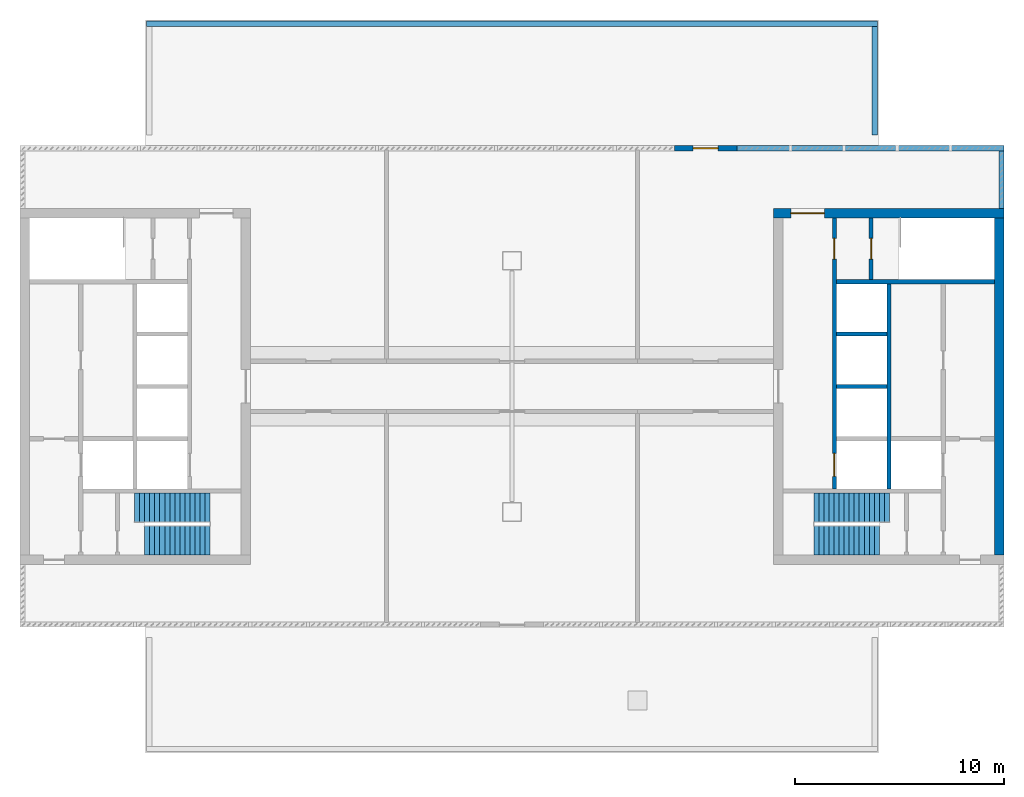
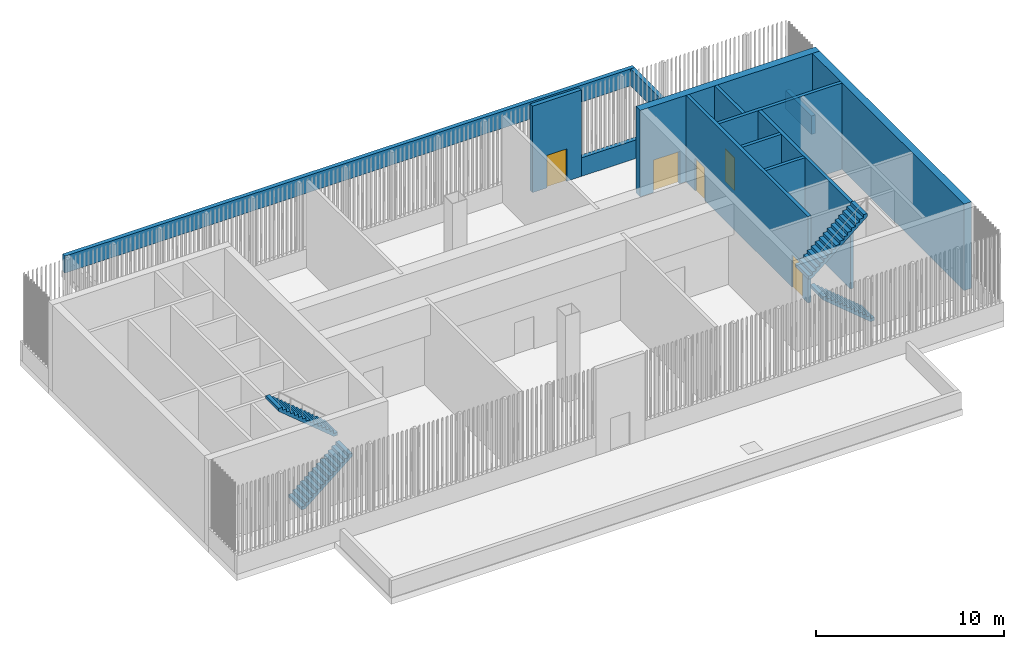
# One storey, part 3 of 9: 13 walls, 5 doors, 4 stair flights, 5 openings, 2 elements without a shape of their own.
"""IFC4 building model written with IfcOpenShell, lengths in metres."""

from ifc_helpers import new_model, si_unit, direction, frame, frame_2d, origin, place, context, subcontext, project, spatial, polyline, rectangle, outline, extrude, material, layer, layer_set, type_object, element, fill, aggregate, save


model = new_model("IFC4")

# Units and contexts
model_context = context("Model", 3, precision=1e-05, world=origin(), true_north=direction((0.0, 1.0)))
body_context = subcontext(model_context, "Body", "Model", "MODEL_VIEW")
ifc_project = project(units=[si_unit("LENGTHUNIT", "METRE"), si_unit("AREAUNIT", "SQUARE_METRE"), si_unit("VOLUMEUNIT", "CUBIC_METRE"), si_unit("PLANEANGLEUNIT", "RADIAN"), si_unit("MASSUNIT", "GRAM", prefix="KILO")], contexts=[model_context])

# Site, building, storey
site_placement = place(None, origin())
site = spatial("IfcSite", under=ifc_project, at=site_placement, CompositionType="ELEMENT")
building_placement = place(site_placement, origin())
building = spatial("IfcBuilding", under=site, at=building_placement, Name="Kitamizu Gate Tower and Museum", CompositionType="ELEMENT")
storey_placement = place(building_placement, frame((0.0, 0.0, 283.35009765625)))
storey = spatial("IfcBuildingStorey", under=building, at=storey_placement, Name="L76", CompositionType="ELEMENT", Elevation=283.35009765625)

# Wall, opening, door
ifc_material_1 = material(Name="Concrete Fc42", Category="concrete")
ifc_layer_1 = layer(ifc_material_1, 0.449951171875)
ifc_layer_set_1 = layer_set([ifc_layer_1], Name="Concrete Fc42")
wall_type_1 = type_object("IfcWallType", Name="Core wall 450 EI 60", PredefinedType="SHEAR", material=ifc_layer_set_1)
wall_1_placement = place(storey_placement, frame((59.5, 38.27490234375, 0.0), z_axis=(0.0, 0.0, 1.0), x_axis=(-1.0, 0.0, 0.0)))
wall_1 = element("IfcWall", 1, at=wall_1_placement, inside=storey, type_object=wall_type_1, Name="Core wall EN", PredefinedType="SHEAR", context=body_context, shape_type="SweptSolid", body=[
    extrude(rectangle(XDim=11.0, YDim=0.449951171875, at=frame_2d((5.5, 0.0))), origin(), (0.0, 0.0, 1.0), 5.599853515625),
])
opening_1_placement = place(wall_1_placement, frame((8.574951171875, 0.0, 0.0)))
opening_1 = element("IfcOpeningElement", 2, at=opening_1_placement, cuts=wall_1, Name="Opening L76-022", PredefinedType="OPENING", context=body_context, shape_type="SweptSolid", body=[
    extrude(rectangle(XDim=1.60009765625, YDim=2.10009765625, at=frame_2d((0.800048828125, 1.050048828125))), frame((0.0, 0.23486328125, 0.0), z_axis=(0.0, -1.0, 0.0), x_axis=(1.0, 0.0, 0.0)), (0.0, 0.0, 1.0), 0.469970703125),
])
ifc_material_2 = material(Name="Timber door set", Category="wood")
door_type_1 = type_object("IfcDoorType", Name="Entrance door 1600", OperationType="DOUBLE_DOOR_SINGLE_SWING", PredefinedType="DOOR", material=ifc_material_2)
door_1_placement = place(opening_1_placement, frame((1.60009765625, 0.0, 0.0), x_axis=(-1.0, 0.0, 0.0)))
door_1 = element("IfcDoor", 3, at=door_1_placement, inside=storey, type_object=door_type_1, Name="Lobby door L76-022", OperationType="DOUBLE_DOOR_SINGLE_SWING", OverallHeight=2.10009765625, OverallWidth=1.60009765625, PredefinedType="DOOR", context=body_context, shape_type="SweptSolid", body=[
    extrude(rectangle(XDim=1.60009765625, YDim=2.10009765625, at=frame_2d((0.800048828125, 1.050048828125))), frame((0.0, 0.02490234375, 0.0), z_axis=(0.0, -1.0, 0.0), x_axis=(1.0, 0.0, 0.0)), (0.0, 0.0, 1.0), 0.050048828125),
])
fill(opening_1, door_1)

# Walls
wall_2_placement = place(storey_placement, frame((59.27490234375, 21.949951171875, 0.0), z_axis=(0.0, 0.0, 1.0), x_axis=(0.0, 1.0, 0.0)))
element("IfcWall", 4, at=wall_2_placement, inside=storey, type_object=wall_type_1, Name="Core wall EOUT", PredefinedType="SHEAR", context=body_context, shape_type="SweptSolid", body=[
    extrude(rectangle(XDim=16.10009765625, YDim=0.449951171875, at=frame_2d((8.050048828125, 0.0))), origin(), (0.0, 0.0, 1.0), 5.599853515625),
])
ifc_material_3 = material(Name="Concrete Fc42", Category="concrete")
ifc_layer_2 = layer(ifc_material_3, 0.25)
ifc_layer_set_2 = layer_set([ifc_layer_2], Name="Concrete Fc42")
wall_type_2 = type_object("IfcWallType", Name="DRUM BASE WALL 250", PredefinedType="SOLIDWALL", material=ifc_layer_set_2)
wall_3_placement = place(storey_placement, frame((46.75, 41.375, 0.0), z_axis=(0.0, 0.0, 1.0), x_axis=(1.0, 0.0, 0.0)))
element("IfcWall", 5, at=wall_3_placement, inside=storey, type_object=wall_type_2, Name="Drum base wall NB", PredefinedType="SOLIDWALL", context=body_context, shape_type="SweptSolid", body=[
    extrude(rectangle(XDim=12.75, YDim=0.25, at=frame_2d((6.375, 0.0))), origin(), (0.0, 0.0, 1.0), 1.199951171875),
])
wall_4_placement = place(storey_placement, frame((59.375, 38.5, 0.0), z_axis=(0.0, 0.0, 1.0), x_axis=(0.0, 1.0, 0.0)))
element("IfcWall", 6, at=wall_4_placement, inside=storey, type_object=wall_type_2, Name="Drum base wall EN", PredefinedType="SOLIDWALL", context=body_context, shape_type="SweptSolid", body=[
    extrude(rectangle(XDim=2.75, YDim=0.25, at=frame_2d((1.375, 0.0))), origin(), (0.0, 0.0, 1.0), 1.199951171875),
])

# Wall, opening, door
wall_5_placement = place(storey_placement, frame((43.75, 41.375, 0.0), z_axis=(0.0, 0.0, 1.0), x_axis=(1.0, 0.0, 0.0)))
wall_5 = element("IfcWall", 7, at=wall_5_placement, inside=storey, type_object=wall_type_2, Name="Drum wall N maintenance door bay", PredefinedType="SOLIDWALL", context=body_context, shape_type="SweptSolid", body=[
    extrude(rectangle(XDim=3.0, YDim=0.25, at=frame_2d((1.5, 0.0))), origin(), (0.0, 0.0, 1.0), 5.599853515625),
])
opening_2_placement = place(wall_5_placement, frame((0.89990234375, 0.0, 0.0)))
opening_2 = element("IfcOpeningElement", 8, at=opening_2_placement, cuts=wall_5, Name="Opening L76-026", PredefinedType="OPENING", context=body_context, shape_type="SweptSolid", body=[
    extrude(rectangle(XDim=1.199951171875, YDim=2.10009765625, at=frame_2d((0.60009765625, 1.050048828125))), frame((0.0, 0.135009765625, 0.0), z_axis=(0.0, -1.0, 0.0), x_axis=(1.0, 0.0, 0.0)), (0.0, 0.0, 1.0), 0.27001953125),
])
ifc_material_4 = material(Name="Insulated galvanised steel door set, bronze polyester powder coat", Category="steel")
door_type_2 = type_object("IfcDoorType", Name="MAINTENANCE DOOR 1200 x 2100 UNRATED", OperationType="NOTDEFINED", PredefinedType="DOOR", material=ifc_material_4)
door_2_placement = place(opening_2_placement, origin())
door_2 = element("IfcDoor", 9, at=door_2_placement, inside=storey, type_object=door_type_2, Name="Maintenance door L76-026", OperationType="SINGLE_SWING_RIGHT", OverallHeight=2.10009765625, OverallWidth=1.199951171875, PredefinedType="DOOR", context=body_context, shape_type="SweptSolid", body=[
    extrude(rectangle(XDim=1.199951171875, YDim=2.10009765625, at=frame_2d((0.60009765625, 1.050048828125))), frame((0.0, 0.02490234375, 0.0), z_axis=(0.0, -1.0, 0.0), x_axis=(1.0, 0.0, 0.0)), (0.0, 0.0, 1.0), 0.050048828125),
])
fill(opening_2, door_2)

# Walls
ifc_material_5 = material(Name="Concrete Fc42", Category="concrete")
ifc_layer_3 = layer(ifc_material_5, 0.25)
ifc_layer_set_3 = layer_set([ifc_layer_3], Name="Concrete Fc42")
wall_type_3 = type_object("IfcWallType", Name="PARAPET WALL 250", PredefinedType="PARAPET", material=ifc_layer_set_3)
wall_6_placement = place(storey_placement, frame((18.550048828125, 47.324951171875, 0.0), z_axis=(0.0, 0.0, 1.0), x_axis=(1.0, 0.0, 0.0)))
element("IfcWall", 10, at=wall_6_placement, inside=storey, type_object=wall_type_3, Name="Roof parapet 5", PredefinedType="PARAPET", context=body_context, shape_type="SweptSolid", body=[
    extrude(rectangle(XDim=34.89990234375, YDim=0.25, at=frame_2d((17.449951171875, 0.0))), origin(), (0.0, 0.0, 1.0), 1.099853515625),
])
wall_7_placement = place(storey_placement, frame((53.324951171875, 47.199951171875, 0.0), z_axis=(0.0, 0.0, 1.0), x_axis=(0.0, -1.0, 0.0)))
element("IfcWall", 11, at=wall_7_placement, inside=storey, type_object=wall_type_3, Name="Roof parapet 6", PredefinedType="PARAPET", context=body_context, shape_type="SweptSolid", body=[
    extrude(rectangle(XDim=5.199951171875, YDim=0.25, at=frame_2d((2.60009765625, 0.0))), origin(), (0.0, 0.0, 1.0), 1.099853515625),
])

# Wall, openings, doors
ifc_material_6 = material(Name="Concrete Fc42", Category="concrete")
ifc_layer_4 = layer(ifc_material_6, 0.199951171875)
ifc_layer_set_4 = layer_set([ifc_layer_4], Name="Concrete Fc42")
wall_type_4 = type_object("IfcWallType", Name="Shaft wall 200", PredefinedType="SOLIDWALL", material=ifc_layer_set_4)
wall_8_placement = place(storey_placement, frame((51.39990234375, 25.10009765625, 0.0), z_axis=(0.0, 0.0, 1.0), x_axis=(0.0, 1.0, 0.0)))
wall_8 = element("IfcWall", 12, at=wall_8_placement, inside=storey, type_object=wall_type_4, Name="Shaft wall EEAST", PredefinedType="SOLIDWALL", context=body_context, shape_type="SweptSolid", body=[
    extrude(rectangle(XDim=12.949951171875, YDim=0.199951171875, at=frame_2d((6.47509765625, 0.0))), origin(), (0.0, 0.0, 1.0), 5.599853515625),
])
opening_3_placement = place(wall_8_placement, frame((0.60009765625, 0.0, 0.0)))
opening_3 = element("IfcOpeningElement", 13, at=opening_3_placement, cuts=wall_8, Name="Opening LD", PredefinedType="OPENING", context=body_context, shape_type="SweptSolid", body=[
    extrude(rectangle(XDim=1.10009765625, YDim=2.10009765625, at=frame_2d((0.550048828125, 1.050048828125))), frame((0.0, 0.10986328125, 0.0), z_axis=(0.0, -1.0, 0.0), x_axis=(1.0, 0.0, 0.0)), (0.0, 0.0, 1.0), 0.219970703125),
])
opening_4_placement = place(wall_8_placement, frame((10.97509765625, 0.0, 0.0)))
opening_4 = element("IfcOpeningElement", 14, at=opening_4_placement, cuts=wall_8, Name="Opening L76-018", PredefinedType="OPENING", context=body_context, shape_type="SweptSolid", body=[
    extrude(rectangle(XDim=1.0, YDim=2.10009765625, at=frame_2d((0.5, 1.050048828125))), frame((0.0, 0.10986328125, 0.0), z_axis=(0.0, -1.0, 0.0), x_axis=(1.0, 0.0, 0.0)), (0.0, 0.0, 1.0), 0.219970703125),
])
ifc_material_7 = material(Name="Hollow metal door set")
door_type_3 = type_object("IfcDoorType", Name="Fire door 1000", OperationType="NOTDEFINED", PredefinedType="DOOR", material=ifc_material_7)
door_3_placement = place(opening_4_placement, frame((1.0, 0.0, 0.0), x_axis=(-1.0, 0.0, 0.0)))
door_3 = element("IfcDoor", 15, at=door_3_placement, inside=storey, type_object=door_type_3, Name="Stair lobby door L76-018", OperationType="SINGLE_SWING_LEFT", OverallHeight=2.10009765625, OverallWidth=1.0, PredefinedType="DOOR", context=body_context, shape_type="SweptSolid", body=[
    extrude(rectangle(XDim=1.0, YDim=2.10009765625, at=frame_2d((0.5, 1.050048828125))), frame((0.0, 0.02490234375, 0.0), z_axis=(0.0, -1.0, 0.0), x_axis=(1.0, 0.0, 0.0)), (0.0, 0.0, 1.0), 0.050048828125),
])
fill(opening_4, door_3)
ifc_material_8 = material(Name="Hollow metal door set")
door_type_4 = type_object("IfcDoorType", Name="Landing door 1100", OperationType="SLIDING_TO_LEFT", PredefinedType="DOOR", material=ifc_material_8)
door_4_placement = place(opening_3_placement, origin())
door_4 = element("IfcDoor", 16, at=door_4_placement, inside=storey, type_object=door_type_4, Name="Landing door ESV1", OperationType="SLIDING_TO_LEFT", OverallHeight=2.10009765625, OverallWidth=1.10009765625, PredefinedType="DOOR", context=body_context, shape_type="SweptSolid", body=[
    extrude(rectangle(XDim=1.10009765625, YDim=2.10009765625, at=frame_2d((0.550048828125, 1.050048828125))), frame((0.0, 0.02490234375, 0.0), z_axis=(0.0, -1.0, 0.0), x_axis=(1.0, 0.0, 0.0)), (0.0, 0.0, 1.0), 0.050048828125),
])
fill(opening_3, door_4)

# Walls
wall_9_placement = place(storey_placement, frame((54.0, 25.10009765625, 0.0), z_axis=(0.0, 0.0, 1.0), x_axis=(0.0, 1.0, 0.0)))
element("IfcWall", 17, at=wall_9_placement, inside=storey, type_object=wall_type_4, Name="Shaft wall EMID", PredefinedType="SOLIDWALL", context=body_context, shape_type="SweptSolid", body=[
    extrude(rectangle(XDim=9.7998046875, YDim=0.199951171875, at=frame_2d((4.89990234375, 0.0))), origin(), (0.0, 0.0, 1.0), 5.599853515625),
])
wall_10_placement = place(storey_placement, frame((59.050048828125, 35.0, 0.0), z_axis=(0.0, 0.0, 1.0), x_axis=(-1.0, 0.0, 0.0)))
element("IfcWall", 18, at=wall_10_placement, inside=storey, type_object=wall_type_4, Name="Shaft wall ENB", PredefinedType="SOLIDWALL", context=body_context, shape_type="SweptSolid", body=[
    extrude(rectangle(XDim=7.550048828125, YDim=0.199951171875, at=frame_2d((3.77490234375, 0.0))), origin(), (0.0, 0.0, 1.0), 5.599853515625),
])

# Wall, opening, door
wall_11_placement = place(storey_placement, frame((53.14990234375, 35.10009765625, 0.0), z_axis=(0.0, 0.0, 1.0), x_axis=(0.0, 1.0, 0.0)))
wall_11 = element("IfcWall", 19, at=wall_11_placement, inside=storey, type_object=wall_type_4, Name="Shaft wall ENZ", PredefinedType="SOLIDWALL", context=body_context, shape_type="SweptSolid", body=[
    extrude(rectangle(XDim=2.949951171875, YDim=0.199951171875, at=frame_2d((1.47509765625, 0.0))), origin(), (0.0, 0.0, 1.0), 5.599853515625),
])
opening_5_placement = place(wall_11_placement, frame((0.97509765625, 0.0, 0.0)))
opening_5 = element("IfcOpeningElement", 20, at=opening_5_placement, cuts=wall_11, Name="Opening L76-019", PredefinedType="OPENING", context=body_context, shape_type="SweptSolid", body=[
    extrude(rectangle(XDim=1.0, YDim=2.10009765625, at=frame_2d((0.5, 1.050048828125))), frame((0.0, 0.10986328125, 0.0), z_axis=(0.0, -1.0, 0.0), x_axis=(1.0, 0.0, 0.0)), (0.0, 0.0, 1.0), 0.219970703125),
])
door_5_placement = place(opening_5_placement, frame((1.0, 0.0, 0.0), x_axis=(-1.0, 0.0, 0.0)))
door_5 = element("IfcDoor", 21, at=door_5_placement, inside=storey, type_object=door_type_3, Name="Stair door L76-019", OperationType="SINGLE_SWING_RIGHT", OverallHeight=2.10009765625, OverallWidth=1.0, PredefinedType="DOOR", context=body_context, shape_type="SweptSolid", body=[
    extrude(rectangle(XDim=1.0, YDim=2.10009765625, at=frame_2d((0.5, 1.050048828125))), frame((0.0, 0.02490234375, 0.0), z_axis=(0.0, -1.0, 0.0), x_axis=(1.0, 0.0, 0.0)), (0.0, 0.0, 1.0), 0.050048828125),
])
fill(opening_5, door_5)

# Walls
for number, where, z_axis, x_axis, name in (
    (22, (53.89990234375, 30.0, 0.0), (0.0, 0.0, 1.0), (-1.0, 0.0, 0.0), "Shaft wall EDVE1"),
    (23, (53.89990234375, 32.5, 0.0), (0.0, 0.0, 1.0), (-1.0, 0.0, 0.0), "Shaft wall EDVE2"),
):
    element("IfcWall", number, at=place(storey_placement, frame(where, z_axis=z_axis, x_axis=x_axis)), inside=storey, type_object=wall_type_4, Name=name, PredefinedType="SOLIDWALL", context=body_context, shape_type="SweptSolid", body=[
        extrude(rectangle(XDim=2.39990234375, YDim=0.199951171875, at=frame_2d((1.199951171875, 0.0))), origin(), (0.0, 0.0, 1.0), 5.599853515625),
    ])

# Stair, stair flights
ifc_material_9 = material(Name="Concrete Fc42", Category="concrete")
stair_type = type_object("IfcStairType", Name="Exit stair 1375 wide 200 rise 241 going", PredefinedType="HALF_TURN_STAIR", material=ifc_material_9)
stair_1_placement = place(storey_placement, origin())
stair_1 = element("IfcStair", 24, at=stair_1_placement, inside=storey, type_object=stair_type, Name="Exit stair ST1", PredefinedType="HALF_TURN_STAIR")
ifc_material_10 = material(Name="Concrete Fc42", Category="concrete")
stair_flight_type = type_object("IfcStairFlightType", Name="Stair flight 1375 wide 200 rise 241 going", PredefinedType="STRAIGHT", material=ifc_material_10)
stair_flight_1_placement = place(storey_placement, frame((18.449951171875, 22.637451171875, 0.0), z_axis=(0.0, 0.0, 1.0), x_axis=(1.0, 0.0, 0.0)))
stair_flight_1 = element("IfcStairFlight", 25, at=stair_flight_1_placement, type_object=stair_flight_type, Name="ST1 flight 1", NumberOfRisers=14, NumberOfTreads=13, PredefinedType="STRAIGHT", RiserHeight=0.2, TreadLength=0.241, context=body_context, shape_type="SweptSolid", body=[
    extrude(outline(polyline([(0.0, 0.0), (0.0, 0.199951171875), (0.240966796875, 0.199951171875), (0.240966796875, 0.39990234375), (0.48193359375, 0.39990234375), (0.48193359375, 0.60009765625), (0.722900390625, 0.60009765625), (0.722900390625, 0.800048828125), (0.964111328125, 0.800048828125), (0.964111328125, 1.0), (1.205078125, 1.0), (1.205078125, 1.199951171875), (1.446044921875, 1.199951171875), (1.446044921875, 1.39990234375), (1.68701171875, 1.39990234375), (1.68701171875, 1.60009765625), (1.927978515625, 1.60009765625), (1.927978515625, 1.800048828125), (2.1689453125, 1.800048828125), (2.1689453125, 2.0), (2.409912109375, 2.0), (2.409912109375, 2.199951171875), (2.65087890625, 2.199951171875), (2.65087890625, 2.39990234375), (2.89208984375, 2.39990234375), (2.89208984375, 2.60009765625), (3.133056640625, 2.60009765625), (3.133056640625, 2.800048828125), (3.133056640625, 2.4052734375), (0.234619140625, 0.0), (0.0, 0.0)])), frame((0.0, 0.6875, 0.0), z_axis=(0.0, -1.0, 0.0), x_axis=(1.0, 0.0, 0.0)), (0.0, 0.0, 1.0), 1.375),
])
stair_flight_2_placement = place(storey_placement, frame((21.5830078125, 24.21240234375, 2.7998046875), z_axis=(0.0, 0.0, 1.0), x_axis=(-1.0, 0.0, 0.0)))
stair_flight_2 = element("IfcStairFlight", 26, at=stair_flight_2_placement, type_object=stair_flight_type, Name="ST1 flight 2", NumberOfRisers=16, NumberOfTreads=15, PredefinedType="STRAIGHT", RiserHeight=0.2, TreadLength=0.241, context=body_context, shape_type="SweptSolid", body=[
    extrude(outline(polyline([(0.0, 0.0), (0.0, 0.199951171875), (0.240966796875, 0.199951171875), (0.240966796875, 0.39990234375), (0.48193359375, 0.39990234375), (0.48193359375, 0.60009765625), (0.722900390625, 0.60009765625), (0.722900390625, 0.800048828125), (0.964111328125, 0.800048828125), (0.964111328125, 1.0), (1.205078125, 1.0), (1.205078125, 1.199951171875), (1.446044921875, 1.199951171875), (1.446044921875, 1.39990234375), (1.68701171875, 1.39990234375), (1.68701171875, 1.60009765625), (1.927978515625, 1.60009765625), (1.927978515625, 1.800048828125), (2.1689453125, 1.800048828125), (2.1689453125, 2.0), (2.409912109375, 2.0), (2.409912109375, 2.199951171875), (2.65087890625, 2.199951171875), (2.65087890625, 2.39990234375), (2.89208984375, 2.39990234375), (2.89208984375, 2.60009765625), (3.133056640625, 2.60009765625), (3.133056640625, 2.800048828125), (3.3740234375, 2.800048828125), (3.3740234375, 3.0), (3.614990234375, 3.0), (3.614990234375, 3.199951171875), (3.614990234375, 2.80517578125), (0.234619140625, 0.0), (0.0, 0.0)])), frame((0.0, 0.6875, 0.0), z_axis=(0.0, -1.0, 0.0), x_axis=(1.0, 0.0, 0.0)), (0.0, 0.0, 1.0), 1.375),
])
aggregate(stair_1, [stair_flight_1, stair_flight_2])

stair_2_placement = place(storey_placement, origin())
stair_2 = element("IfcStair", 27, at=stair_2_placement, inside=storey, type_object=stair_type, Name="Exit stair ST3", PredefinedType="HALF_TURN_STAIR")
stair_flight_3_placement = place(storey_placement, frame((53.550048828125, 22.637451171875, 0.0), z_axis=(0.0, 0.0, 1.0), x_axis=(-1.0, 0.0, 0.0)))
stair_flight_3 = element("IfcStairFlight", 28, at=stair_flight_3_placement, type_object=stair_flight_type, Name="ST3 flight 1", NumberOfRisers=14, NumberOfTreads=13, PredefinedType="STRAIGHT", RiserHeight=0.2, TreadLength=0.241, context=body_context, shape_type="SweptSolid", body=[
    extrude(outline(polyline([(0.0, 0.0), (0.0, 0.199951171875), (0.240966796875, 0.199951171875), (0.240966796875, 0.39990234375), (0.48193359375, 0.39990234375), (0.48193359375, 0.60009765625), (0.722900390625, 0.60009765625), (0.722900390625, 0.800048828125), (0.964111328125, 0.800048828125), (0.964111328125, 1.0), (1.205078125, 1.0), (1.205078125, 1.199951171875), (1.446044921875, 1.199951171875), (1.446044921875, 1.39990234375), (1.68701171875, 1.39990234375), (1.68701171875, 1.60009765625), (1.927978515625, 1.60009765625), (1.927978515625, 1.800048828125), (2.1689453125, 1.800048828125), (2.1689453125, 2.0), (2.409912109375, 2.0), (2.409912109375, 2.199951171875), (2.65087890625, 2.199951171875), (2.65087890625, 2.39990234375), (2.89208984375, 2.39990234375), (2.89208984375, 2.60009765625), (3.133056640625, 2.60009765625), (3.133056640625, 2.800048828125), (3.133056640625, 2.4052734375), (0.234619140625, 0.0), (0.0, 0.0)])), frame((0.0, 0.6875, 0.0), z_axis=(0.0, -1.0, 0.0), x_axis=(1.0, 0.0, 0.0)), (0.0, 0.0, 1.0), 1.375),
])
stair_flight_4_placement = place(storey_placement, frame((50.4169921875, 24.21240234375, 2.7998046875), z_axis=(0.0, 0.0, 1.0), x_axis=(1.0, 0.0, 0.0)))
stair_flight_4 = element("IfcStairFlight", 29, at=stair_flight_4_placement, type_object=stair_flight_type, Name="ST3 flight 2", NumberOfRisers=16, NumberOfTreads=15, PredefinedType="STRAIGHT", RiserHeight=0.2, TreadLength=0.241, context=body_context, shape_type="SweptSolid", body=[
    extrude(outline(polyline([(0.0, 0.0), (0.0, 0.199951171875), (0.240966796875, 0.199951171875), (0.240966796875, 0.39990234375), (0.48193359375, 0.39990234375), (0.48193359375, 0.60009765625), (0.722900390625, 0.60009765625), (0.722900390625, 0.800048828125), (0.964111328125, 0.800048828125), (0.964111328125, 1.0), (1.205078125, 1.0), (1.205078125, 1.199951171875), (1.446044921875, 1.199951171875), (1.446044921875, 1.39990234375), (1.68701171875, 1.39990234375), (1.68701171875, 1.60009765625), (1.927978515625, 1.60009765625), (1.927978515625, 1.800048828125), (2.1689453125, 1.800048828125), (2.1689453125, 2.0), (2.409912109375, 2.0), (2.409912109375, 2.199951171875), (2.65087890625, 2.199951171875), (2.65087890625, 2.39990234375), (2.89208984375, 2.39990234375), (2.89208984375, 2.60009765625), (3.133056640625, 2.60009765625), (3.133056640625, 2.800048828125), (3.3740234375, 2.800048828125), (3.3740234375, 3.0), (3.614990234375, 3.0), (3.614990234375, 3.199951171875), (3.614990234375, 2.80517578125), (0.234619140625, 0.0), (0.0, 0.0)])), frame((0.0, 0.6875, 0.0), z_axis=(0.0, -1.0, 0.0), x_axis=(1.0, 0.0, 0.0)), (0.0, 0.0, 1.0), 1.375),
])
aggregate(stair_2, [stair_flight_3, stair_flight_4])

save(model, "model.ifc")
